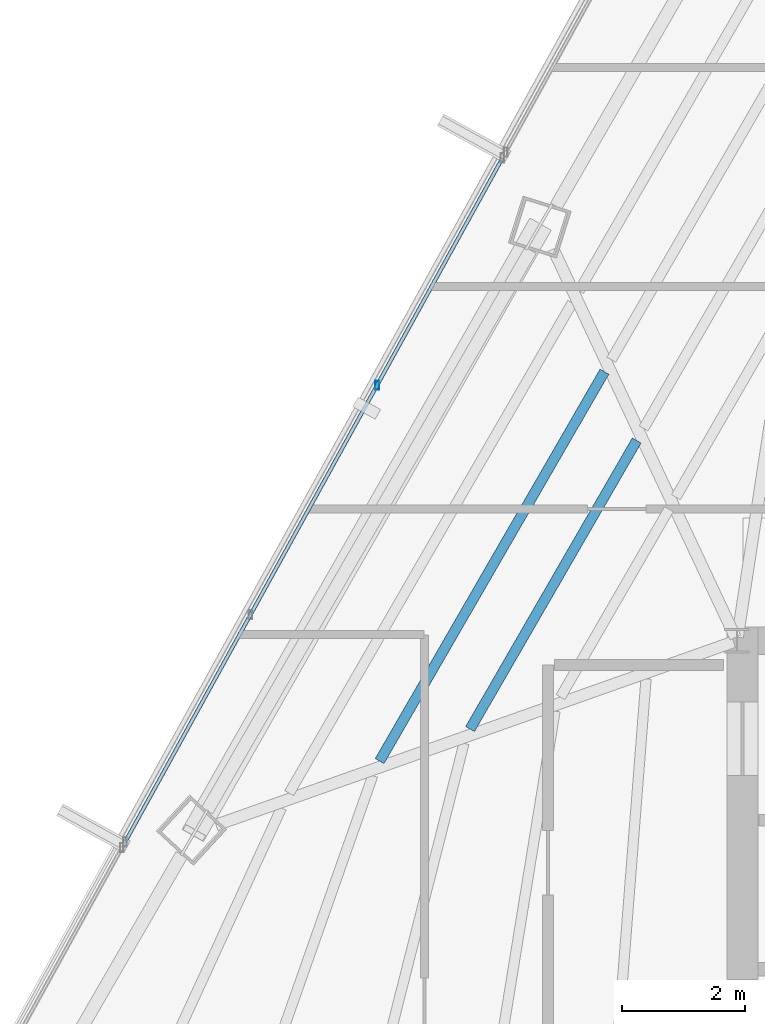
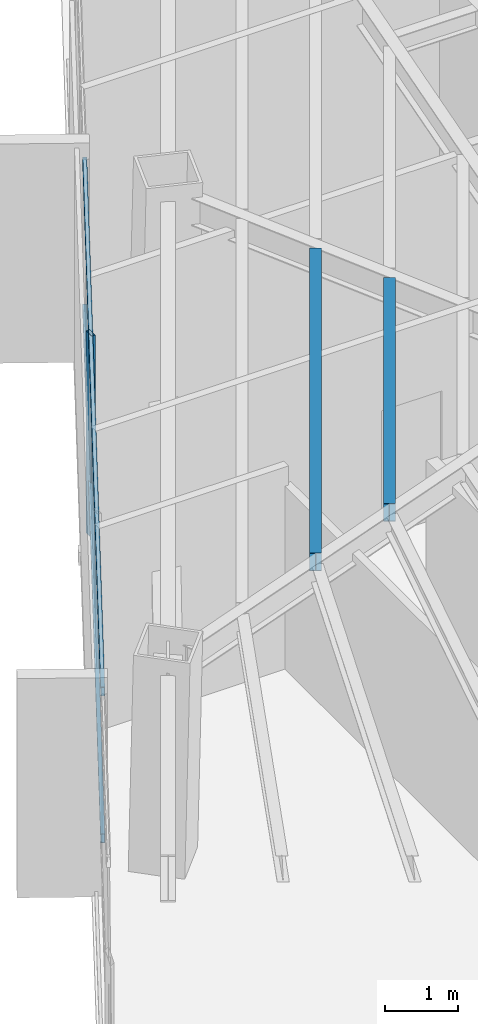
# One storey, part 15 of 42: 3 members, 2 beams, 1 element without a shape of its own.
"""IFC4 building model written with IfcOpenShell, lengths in metres."""

from ifc_helpers import new_model, si_unit, direction, frame, origin, origin_2d, place, context, subcontext, project, spatial, hollow_rectangle, i_section, extrude, source, transform, mapped, material, material_profile, profile_set, type_object, type_shapes, element, aggregate, save


model = new_model("IFC4")

# Units and contexts
model_context = context("Model", 3, precision=1e-05, world=origin(), true_north=direction((0.0, 1.0)))
body_context = subcontext(model_context, "Body", "Model", "MODEL_VIEW")
ifc_project = project(units=[si_unit("LENGTHUNIT", "METRE"), si_unit("AREAUNIT", "SQUARE_METRE"), si_unit("VOLUMEUNIT", "CUBIC_METRE"), si_unit("PLANEANGLEUNIT", "RADIAN"), si_unit("MASSUNIT", "GRAM", prefix="KILO")], contexts=[model_context])

# Site, building, storey
site_placement = place(None, origin())
site = spatial("IfcSite", under=ifc_project, at=site_placement, CompositionType="ELEMENT")
building_placement = place(site_placement, origin())
building = spatial("IfcBuilding", under=site, at=building_placement, Name="Caelisora Broadcast Tower", CompositionType="ELEMENT")
storey_placement = place(building_placement, frame((0.0, 0.0, 205.949951171875)))
storey = spatial("IfcBuildingStorey", under=building, at=storey_placement, Name="L54", CompositionType="ELEMENT", Elevation=205.949951171875)

# Beams
ifc_material_1 = material(Name="Steel Grade 350 (AS/NZS 3679.1)", Category="steel")
ifc_material_profile_1 = material_profile(ifc_material_1, i_section(OverallWidth=0.166015625, OverallDepth=0.30712890625, WebThickness=0.006591796875, FlangeThickness=0.01171875, at=origin_2d()), Name="Steel Grade 350 (AS/NZS 3679.1)")
ifc_profile_set_1 = profile_set([ifc_material_profile_1], Name="Steel Grade 350 (AS/NZS 3679.1)")
beam_type = type_object("IfcBeamType", Name="SB03", PredefinedType="JOIST", material=ifc_profile_set_1)
shared_shape_1 = source(origin(), body_context, "Body", "SweptSolid", [
    extrude(i_section(OverallWidth=0.166015625, OverallDepth=0.30712890625, WebThickness=0.006591796875, FlangeThickness=0.01171875, at=origin_2d()), origin(), (0.0, 0.0, 1.0), 5.437255859375),
])
beam_1_placement = place(storey_placement, frame((28.864013671875, 33.266357421875, 3.246337890625), z_axis=(-0.499988056753, -0.866032299111, 0.0), x_axis=(0.866032299111, -0.499988056753, 0.0)))
element("IfcBeam", 1, at=beam_1_placement, inside=storey, type_object=beam_type, Name="L54 beam SB03", PredefinedType="JOIST", context=body_context, shape_type="MappedRepresentation", body=[
    mapped(shared_shape_1, transform((0.0, 0.0, 0.0), scale=1.0)),
])
shared_shape_2 = source(origin(), body_context, "Body", "SweptSolid", [
    extrude(i_section(OverallWidth=0.166015625, OverallDepth=0.30712890625, WebThickness=0.006591796875, FlangeThickness=0.01171875, at=origin_2d()), origin(), (0.0, 0.0, 1.0), 7.335205078125),
])
type_shapes(beam_type, [shared_shape_1, shared_shape_2])
beam_2_placement = place(storey_placement, frame((28.337646484375, 34.387939453125, 3.246337890625), z_axis=(-0.500008636774, -0.866020417283, 0.0), x_axis=(0.866020417283, -0.500008636774, 0.0)))
element("IfcBeam", 2, at=beam_2_placement, inside=storey, type_object=beam_type, Name="L54 beam SB03", PredefinedType="JOIST", context=body_context, shape_type="MappedRepresentation", body=[
    mapped(shared_shape_2, transform((0.0, 0.0, 0.0), scale=1.0)),
])

# Curtain wall, members
ifc_material_2 = material(Name="Unitised Aluminium Insulated Shadow-Box Spandrel Curtain Wall", Category="aluminium")
curtain_wall_type = type_object("IfcCurtainWallType", Name="CW-SP2", PredefinedType="NOTDEFINED", material=ifc_material_2)
curtain_wall_placement = place(storey_placement, origin())
curtain_wall = element("IfcCurtainWall", 3, at=curtain_wall_placement, inside=storey, type_object=curtain_wall_type, Name="L54 curtain wall CW-SP2", PredefinedType="NOTDEFINED")
ifc_material_3 = material(Name="Aluminium 6063-T6 Anodised Terracotta Bronze", Category="aluminium")
ifc_material_profile_2 = material_profile(ifc_material_3, hollow_rectangle(XDim=0.06005859375, YDim=0.14990234375, WallThickness=0.00341796875, at=origin_2d()), Name="Aluminium 6063-T6 Anodised Terracotta Bronze")
ifc_profile_set_2 = profile_set([ifc_material_profile_2], Name="Aluminium 6063-T6 Anodised Terracotta Bronze")
member_type_1 = type_object("IfcMemberType", Name="CWM-03", PredefinedType="MULLION", material=ifc_profile_set_2)
shared_shape_3 = source(origin(), body_context, "Body", "SweptSolid", [
    extrude(hollow_rectangle(XDim=0.06005859375, YDim=0.14990234375, WallThickness=0.00341796875, at=origin_2d()), origin(), (0.0, 0.0, 1.0), 3.400146484375),
])
type_shapes(member_type_1, [shared_shape_3])
member_1_placement = place(storey_placement, frame((24.630126953125, 34.169189453125, 0.0), z_axis=(0.0, 0.0, 1.0), x_axis=(1.0, 0.0, 0.0)))
member_1 = element("IfcMember", 4, at=member_1_placement, type_object=member_type_1, Name="L54-CW-B10 mullion #2", PredefinedType="MULLION", context=body_context, shape_type="MappedRepresentation", body=[
    mapped(shared_shape_3, transform((0.0, 0.0, 0.0), scale=1.0)),
])
ifc_material_profile_3 = material_profile(ifc_material_3, hollow_rectangle(XDim=0.06005859375, YDim=0.14990234375, WallThickness=0.00341796875, at=origin_2d()), Name="Aluminium 6063-T6 Anodised Terracotta Bronze")
ifc_profile_set_3 = profile_set([ifc_material_profile_3], Name="Aluminium 6063-T6 Anodised Terracotta Bronze")
member_type_2 = type_object("IfcMemberType", Name="CWT-02", PredefinedType="USERDEFINED", material=ifc_profile_set_3)
shared_shape_4 = source(origin(), body_context, "Body", "SweptSolid", [
    extrude(hollow_rectangle(XDim=0.06005859375, YDim=0.14990234375, WallThickness=0.00341796875, at=origin_2d()), origin(), (0.0, 0.0, 1.0), 12.744140625),
])
type_shapes(member_type_2, [shared_shape_4])
member_2_placement = place(storey_placement, frame((20.517822265625, 26.715576171875, 0.85009765625), z_axis=(0.483083926505, 0.875574051667, 0.0), x_axis=(-0.875574051667, 0.483083926505, 0.0)))
member_2 = element("IfcMember", 5, at=member_2_placement, type_object=member_type_2, Name="L54-CW-B10 transom #1", ObjectType="TRANSOM", PredefinedType="USERDEFINED", context=body_context, shape_type="MappedRepresentation", body=[
    mapped(shared_shape_4, transform((0.0, 0.0, 0.0), scale=1.0)),
])
member_3_placement = place(storey_placement, frame((20.517822265625, 26.715576171875, 3.320068359375), z_axis=(0.483083926505, 0.875574051667, 0.0), x_axis=(-0.875574051667, 0.483083926505, 0.0)))
member_3 = element("IfcMember", 6, at=member_3_placement, type_object=member_type_2, Name="L54-CW-B10 transom #2", ObjectType="TRANSOM", PredefinedType="USERDEFINED", context=body_context, shape_type="MappedRepresentation", body=[
    mapped(shared_shape_4, transform((0.0, 0.0, 0.0), scale=1.0)),
])
aggregate(curtain_wall, [member_1, member_2, member_3])

save(model, "model.ifc")
